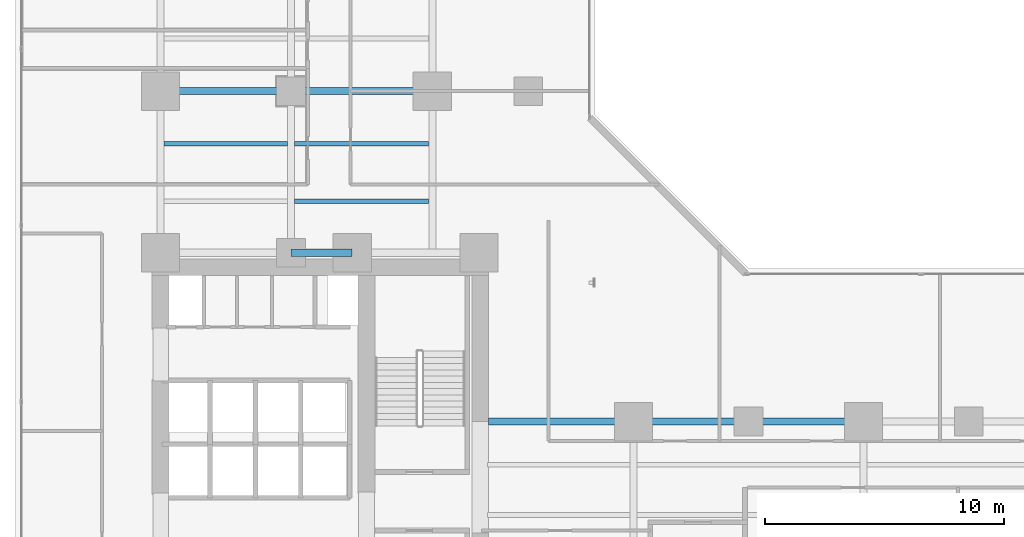
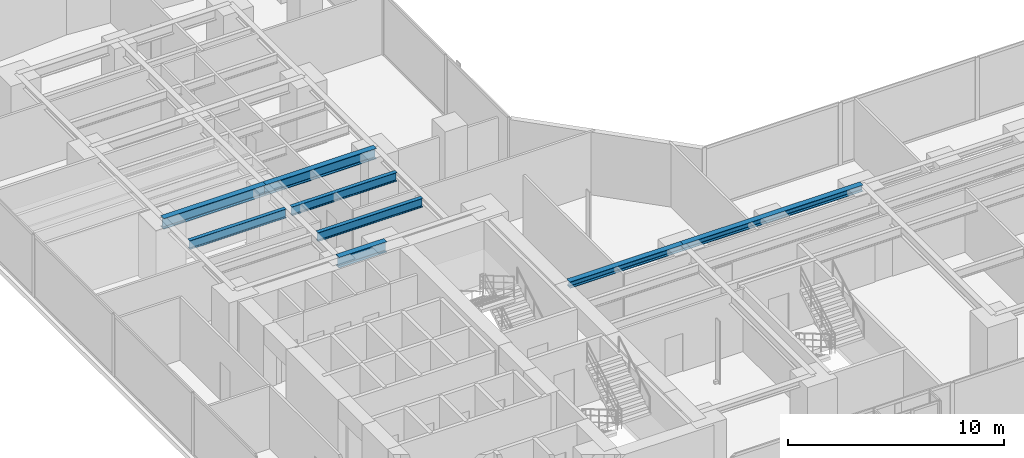
# One storey, part 7 of 26: 8 beams.
"""IFC4 building model written with IfcOpenShell, lengths in metres."""

from ifc_helpers import new_model, si_unit, direction, frame, origin, origin_2d, place, context, subcontext, project, spatial, i_section, extrude, material, material_profile, profile_set, type_object, element, save


model = new_model("IFC4")

# Units and contexts
model_context = context("Model", 3, precision=1e-05, world=origin(), true_north=direction((0.0, 1.0)))
body_context = subcontext(model_context, "Body", "Model", "MODEL_VIEW")
ifc_project = project(units=[si_unit("LENGTHUNIT", "METRE"), si_unit("AREAUNIT", "SQUARE_METRE"), si_unit("VOLUMEUNIT", "CUBIC_METRE"), si_unit("PLANEANGLEUNIT", "RADIAN"), si_unit("MASSUNIT", "GRAM", prefix="KILO")], contexts=[model_context])

# Site, building, storey
site_placement = place(None, origin())
site = spatial("IfcSite", under=ifc_project, at=site_placement, CompositionType="ELEMENT")
building_placement = place(site_placement, origin())
building = spatial("IfcBuilding", under=site, at=building_placement, Name="Kolvaren Waterfront Exchange", CompositionType="ELEMENT")
storey_placement = place(building_placement, frame((0.0, 0.0, 48.60009765625)))
storey = spatial("IfcBuildingStorey", under=building, at=storey_placement, Name="L12", CompositionType="ELEMENT", Elevation=48.60009765625)

# Beams
ifc_material = material(Name="Steel S355", Category="steel")
ifc_material_profile_1 = material_profile(ifc_material, i_section(OverallWidth=0.300048828125, OverallDepth=0.360107421875, WebThickness=0.012451171875, FlangeThickness=0.0224609375, FilletRadius=0.027099609375, at=origin_2d()), Name="HEB360")
ifc_profile_set_1 = profile_set([ifc_material_profile_1], Name="Steel S355")
beam_type_1 = type_object("IfcBeamType", Name="STR-BM-HEB360", PredefinedType="SPANDREL", material=ifc_profile_set_1)
beam_1_placement = place(storey_placement, frame((21.14990234375, 17.39990234375, 3.35986328125), z_axis=(1.0, 0.0, 0.0), x_axis=(0.0, 1.0, 0.0)))
element("IfcBeam", 1, at=beam_1_placement, inside=storey, type_object=beam_type_1, Name="L12 east-arm spandrel N1", PredefinedType="SPANDREL", context=body_context, shape_type="SweptSolid", body=[
    extrude(i_section(OverallWidth=0.300048828125, OverallDepth=0.360107421875, WebThickness=0.012451171875, FlangeThickness=0.0224609375, FilletRadius=0.027099609375, at=origin_2d()), origin(), (0.0, 0.0, 1.0), 6.050048828125),
])
beam_2_placement = place(storey_placement, frame((27.199951171875, 17.39990234375, 3.35986328125), z_axis=(1.0, 0.0, 0.0), x_axis=(0.0, 1.0, 0.0)))
element("IfcBeam", 2, at=beam_2_placement, inside=storey, type_object=beam_type_1, Name="L12 east-arm spandrel N2", PredefinedType="SPANDREL", context=body_context, shape_type="SweptSolid", body=[
    extrude(i_section(OverallWidth=0.300048828125, OverallDepth=0.360107421875, WebThickness=0.012451171875, FlangeThickness=0.0224609375, FilletRadius=0.027099609375, at=origin_2d()), origin(), (0.0, 0.0, 1.0), 9.60009765625),
])
ifc_material_profile_2 = material_profile(ifc_material, i_section(OverallWidth=0.300048828125, OverallDepth=0.60009765625, WebThickness=0.015380859375, FlangeThickness=0.030029296875, FilletRadius=0.027099609375, at=origin_2d()), Name="HEB600")
ifc_profile_set_2 = profile_set([ifc_material_profile_2], Name="Steel S355")
beam_type_2 = type_object("IfcBeamType", Name="STR-BM-HEB600", PredefinedType="BEAM", material=ifc_profile_set_2)
beam_3_placement = place(storey_placement, frame((12.89990234375, 24.449951171875, 3.239990234375), z_axis=(1.0, 0.0, 0.0), x_axis=(0.0, 1.0, 0.0)))
element("IfcBeam", 3, at=beam_3_placement, inside=storey, type_object=beam_type_2, Name="L12 north-arm girder 1B", PredefinedType="BEAM", context=body_context, shape_type="SweptSolid", body=[
    extrude(i_section(OverallWidth=0.300048828125, OverallDepth=0.60009765625, WebThickness=0.015380859375, FlangeThickness=0.030029296875, FilletRadius=0.027099609375, at=origin_2d()), origin(), (0.0, 0.0, 1.0), 2.550048828125),
])
beam_4_placement = place(storey_placement, frame((7.449951171875, 31.199951171875, 3.239990234375), z_axis=(1.0, 0.0, 0.0), x_axis=(0.0, 1.0, 0.0)))
element("IfcBeam", 4, at=beam_4_placement, inside=storey, type_object=beam_type_2, Name="L12 north-arm girder 2A", PredefinedType="BEAM", context=body_context, shape_type="SweptSolid", body=[
    extrude(i_section(OverallWidth=0.300048828125, OverallDepth=0.60009765625, WebThickness=0.015380859375, FlangeThickness=0.030029296875, FilletRadius=0.027099609375, at=origin_2d()), origin(), (0.0, 0.0, 1.0), 5.449951171875),
])
beam_5_placement = place(storey_placement, frame((12.89990234375, 31.199951171875, 3.239990234375), z_axis=(1.0, 0.0, 0.0), x_axis=(0.0, 1.0, 0.0)))
element("IfcBeam", 5, at=beam_5_placement, inside=storey, type_object=beam_type_2, Name="L12 north-arm girder 2B", PredefinedType="BEAM", context=body_context, shape_type="SweptSolid", body=[
    extrude(i_section(OverallWidth=0.300048828125, OverallDepth=0.60009765625, WebThickness=0.015380859375, FlangeThickness=0.030029296875, FilletRadius=0.027099609375, at=origin_2d()), origin(), (0.0, 0.0, 1.0), 5.900146484375),
])
ifc_material_profile_3 = material_profile(ifc_material, i_section(OverallWidth=0.199951171875, OverallDepth=0.5, WebThickness=0.01025390625, FlangeThickness=0.01611328125, FilletRadius=0.02099609375, at=origin_2d()), Name="IPE500")
ifc_profile_set_3 = profile_set([ifc_material_profile_3], Name="Steel S355")
beam_type_3 = type_object("IfcBeamType", Name="STR-BM-IPE500", PredefinedType="JOIST", material=ifc_profile_set_3)
beam_6_placement = place(storey_placement, frame((13.052001953125, 26.60009765625, 3.289794921875), z_axis=(1.0, 0.0, 0.0), x_axis=(0.0, 1.0, 0.0)))
element("IfcBeam", 6, at=beam_6_placement, inside=storey, type_object=beam_type_3, Name="L12 north-arm composite joist 1B", PredefinedType="JOIST", context=body_context, shape_type="SweptSolid", body=[
    extrude(i_section(OverallWidth=0.199951171875, OverallDepth=0.5, WebThickness=0.01025390625, FlangeThickness=0.01611328125, FilletRadius=0.02099609375, at=origin_2d()), origin(), (0.0, 0.0, 1.0), 5.595947265625),
])
beam_7_placement = place(storey_placement, frame((7.60205078125, 29.0, 3.289794921875), z_axis=(1.0, 0.0, 0.0), x_axis=(0.0, 1.0, 0.0)))
element("IfcBeam", 7, at=beam_7_placement, inside=storey, type_object=beam_type_3, Name="L12 north-arm composite joist 2A", PredefinedType="JOIST", context=body_context, shape_type="SweptSolid", body=[
    extrude(i_section(OverallWidth=0.199951171875, OverallDepth=0.5, WebThickness=0.01025390625, FlangeThickness=0.01611328125, FilletRadius=0.02099609375, at=origin_2d()), origin(), (0.0, 0.0, 1.0), 5.14599609375),
])
beam_8_placement = place(storey_placement, frame((13.052001953125, 29.0, 3.289794921875), z_axis=(1.0, 0.0, 0.0), x_axis=(0.0, 1.0, 0.0)))
element("IfcBeam", 8, at=beam_8_placement, inside=storey, type_object=beam_type_3, Name="L12 north-arm composite joist 2B", PredefinedType="JOIST", context=body_context, shape_type="SweptSolid", body=[
    extrude(i_section(OverallWidth=0.199951171875, OverallDepth=0.5, WebThickness=0.01025390625, FlangeThickness=0.01611328125, FilletRadius=0.02099609375, at=origin_2d()), origin(), (0.0, 0.0, 1.0), 5.595947265625),
])

save(model, "model.ifc")
